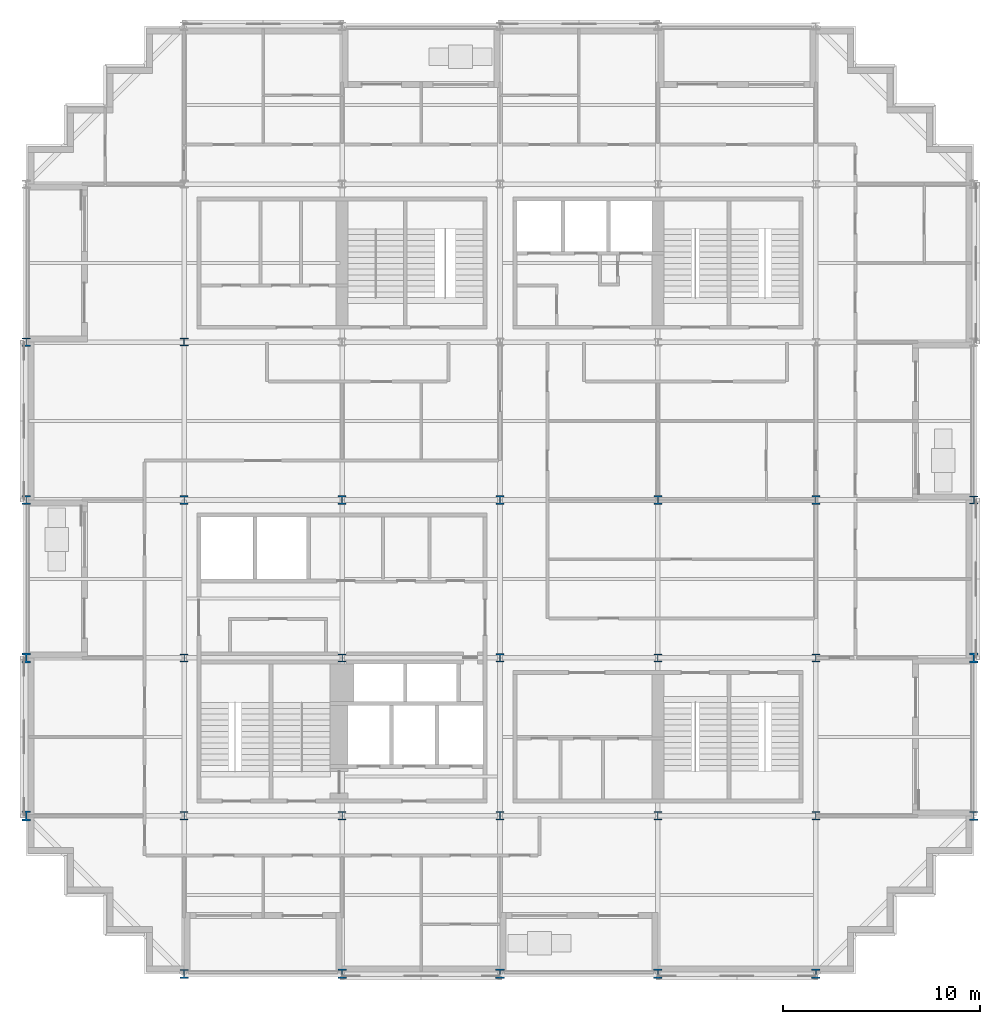
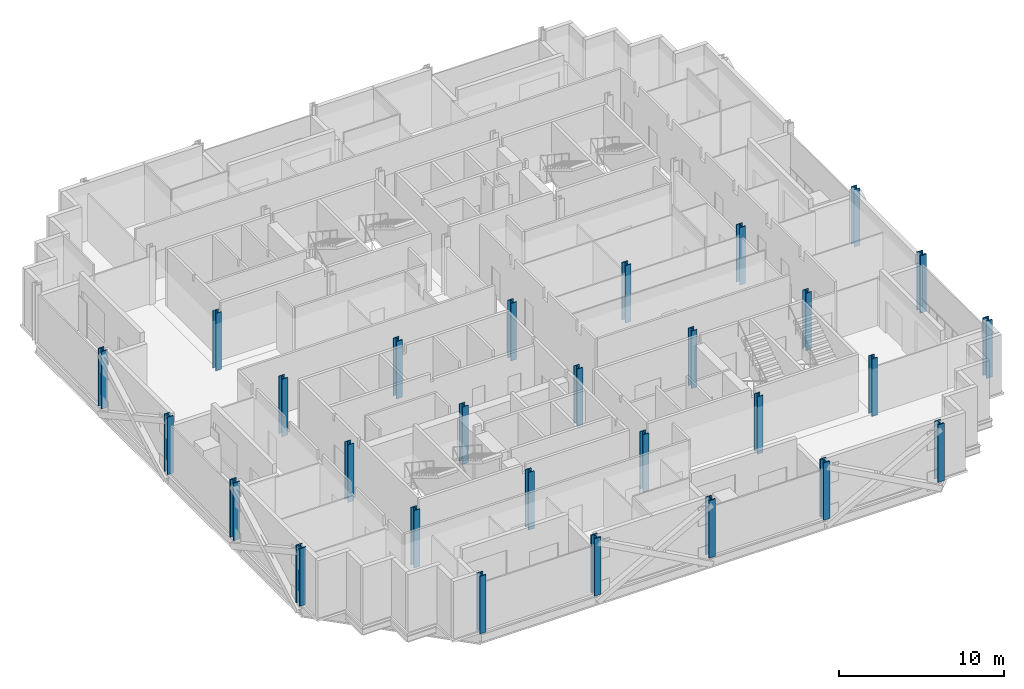
# One storey, part 1 of 15: 28 columns.
"""IFC4 building model written with IfcOpenShell, lengths in metres."""

from ifc_helpers import new_model, si_unit, direction, frame, origin, origin_2d, place, context, subcontext, project, spatial, i_section, extrude, material, material_profile, profile_set, type_object, element, save


model = new_model("IFC4")

# Units and contexts
model_context = context("Model", 3, precision=1e-05, world=origin(), true_north=direction((0.0, 1.0)))
body_context = subcontext(model_context, "Body", "Model", "MODEL_VIEW")
ifc_project = project(units=[si_unit("LENGTHUNIT", "METRE"), si_unit("AREAUNIT", "SQUARE_METRE"), si_unit("VOLUMEUNIT", "CUBIC_METRE"), si_unit("PLANEANGLEUNIT", "RADIAN"), si_unit("MASSUNIT", "GRAM", prefix="KILO")], contexts=[model_context])

# Site, building, storey
site_placement = place(None, origin())
site = spatial("IfcSite", under=ifc_project, at=site_placement, CompositionType="ELEMENT")
building_placement = place(site_placement, origin())
building = spatial("IfcBuilding", under=site, at=building_placement, Name="Immortelle Media Tower", CompositionType="ELEMENT")
storey_placement = place(building_placement, frame((0.0, 0.0, 70.0)))
storey = spatial("IfcBuildingStorey", under=building, at=storey_placement, Name="L12", CompositionType="ELEMENT", Elevation=70.0)

# Columns
ifc_material = material(Name="Steel ASTM A992 Gr 50", Category="steel")
ifc_material_profile_1 = material_profile(ifc_material, i_section(OverallWidth=0.39404296875, OverallDepth=0.3759765625, WebThickness=0.01708984375, FlangeThickness=0.028076171875, at=origin_2d()), Name="W14x145")
ifc_profile_set_1 = profile_set([ifc_material_profile_1], Name="Steel ASTM A992 Gr 50")
column_type_1 = type_object("IfcColumnType", Name="W14x145 column", PredefinedType="COLUMN", material=ifc_profile_set_1)
column_1_placement = place(storey_placement, frame((8.0, 32.0, 0.0), z_axis=(0.0, 0.0, 1.0), x_axis=(1.0, 0.0, 0.0)))
element("IfcColumn", 1, at=column_1_placement, inside=storey, type_object=column_type_1, Name="Column 2/E", PredefinedType="COLUMN", context=body_context, shape_type="SweptSolid", body=[
    extrude(i_section(OverallWidth=0.39404296875, OverallDepth=0.3759765625, WebThickness=0.01708984375, FlangeThickness=0.028076171875, at=origin_2d()), origin(), (0.0, 0.0, 1.0), 4.25),
])
ifc_material_profile_2 = material_profile(ifc_material, i_section(OverallWidth=0.40087890625, OverallDepth=0.39892578125, WebThickness=0.02490234375, FlangeThickness=0.0400390625, at=origin_2d()), Name="W14x211")
ifc_profile_set_2 = profile_set([ifc_material_profile_2], Name="Steel ASTM A992 Gr 50")
column_type_2 = type_object("IfcColumnType", Name="W14x211 column", PredefinedType="COLUMN", material=ifc_profile_set_2)
column_2_placement = place(storey_placement, frame((48.0, 24.0, 0.0), z_axis=(0.0, 0.0, 1.0), x_axis=(1.0, 0.0, 0.0)))
element("IfcColumn", 2, at=column_2_placement, inside=storey, type_object=column_type_2, Name="Column 7/D", PredefinedType="COLUMN", context=body_context, shape_type="SweptSolid", body=[
    extrude(i_section(OverallWidth=0.40087890625, OverallDepth=0.39892578125, WebThickness=0.02490234375, FlangeThickness=0.0400390625, at=origin_2d()), origin(), (0.0, 0.0, 1.0), 4.25),
])
ifc_material_profile_3 = material_profile(ifc_material, i_section(OverallWidth=0.406005859375, OverallDepth=0.4169921875, WebThickness=0.030029296875, FlangeThickness=0.048095703125, at=origin_2d()), Name="W14x257")
ifc_profile_set_3 = profile_set([ifc_material_profile_3], Name="Steel ASTM A992 Gr 50")
column_type_3 = type_object("IfcColumnType", Name="W14x257 column", PredefinedType="COLUMN", material=ifc_profile_set_3)
for number, where, z_axis, x_axis, name in (
    (3, (8.0, 8.0, 0.0), (0.0, 0.0, 1.0), (1.0, 0.0, 0.0), "Column 2/B"),
    (4, (8.0, 16.0, 0.0), (0.0, 0.0, 1.0), (1.0, 0.0, 0.0), "Column 2/C"),
    (5, (16.0, 8.0, 0.0), (0.0, 0.0, 1.0), (1.0, 0.0, 0.0), "Column 3/B"),
    (6, (16.0, 16.0, 0.0), (0.0, 0.0, 1.0), (1.0, 0.0, 0.0), "Column 3/C"),
    (7, (32.0, 8.0, 0.0), (0.0, 0.0, 1.0), (1.0, 0.0, 0.0), "Column 5/B"),
    (8, (32.0, 16.0, 0.0), (0.0, 0.0, 1.0), (1.0, 0.0, 0.0), "Column 5/C"),
    (9, (40.0, 8.0, 0.0), (0.0, 0.0, 1.0), (1.0, 0.0, 0.0), "Column 6/B"),
    (10, (40.0, 16.0, 0.0), (0.0, 0.0, 1.0), (1.0, 0.0, 0.0), "Column 6/C"),
):
    element("IfcColumn", number, at=place(storey_placement, frame(where, z_axis=z_axis, x_axis=x_axis)), inside=storey, type_object=column_type_3, Name=name, PredefinedType="COLUMN", context=body_context, shape_type="SweptSolid", body=[
        extrude(i_section(OverallWidth=0.406005859375, OverallDepth=0.4169921875, WebThickness=0.030029296875, FlangeThickness=0.048095703125, at=origin_2d()), origin(), (0.0, 0.0, 1.0), 4.25),
    ])
ifc_material_profile_4 = material_profile(ifc_material, i_section(OverallWidth=0.410888671875, OverallDepth=0.43408203125, WebThickness=0.035888671875, FlangeThickness=0.056884765625, at=origin_2d()), Name="W14x311")
ifc_profile_set_4 = profile_set([ifc_material_profile_4], Name="Steel ASTM A992 Gr 50")
column_type_4 = type_object("IfcColumnType", Name="W14x311 column", PredefinedType="COLUMN", material=ifc_profile_set_4)
for number, where, z_axis, x_axis, name in (
    (11, (0.0, 24.0, 0.0), (0.0, 0.0, 1.0), (1.0, 0.0, 0.0), "Column 1/D"),
    (12, (0.0, 32.0, 0.0), (0.0, 0.0, 1.0), (1.0, 0.0, 0.0), "Column 1/E"),
    (13, (8.0, 24.0, 0.0), (0.0, 0.0, 1.0), (1.0, 0.0, 0.0), "Column 2/D"),
    (14, (16.0, 24.0, 0.0), (0.0, 0.0, 1.0), (1.0, 0.0, 0.0), "Column 3/D"),
    (15, (24.0, 8.0, 0.0), (0.0, 0.0, 1.0), (1.0, 0.0, 0.0), "Column 4/B"),
    (16, (24.0, 16.0, 0.0), (0.0, 0.0, 1.0), (1.0, 0.0, 0.0), "Column 4/C"),
    (17, (24.0, 24.0, 0.0), (0.0, 0.0, 1.0), (1.0, 0.0, 0.0), "Column 4/D"),
    (18, (32.0, 24.0, 0.0), (0.0, 0.0, 1.0), (1.0, 0.0, 0.0), "Column 5/D"),
    (19, (40.0, 24.0, 0.0), (0.0, 0.0, 1.0), (1.0, 0.0, 0.0), "Column 6/D"),
):
    element("IfcColumn", number, at=place(storey_placement, frame(where, z_axis=z_axis, x_axis=x_axis)), inside=storey, type_object=column_type_4, Name=name, PredefinedType="COLUMN", context=body_context, shape_type="SweptSolid", body=[
        extrude(i_section(OverallWidth=0.410888671875, OverallDepth=0.43408203125, WebThickness=0.035888671875, FlangeThickness=0.056884765625, at=origin_2d()), origin(), (0.0, 0.0, 1.0), 4.25),
    ])
ifc_material_profile_5 = material_profile(ifc_material, i_section(OverallWidth=0.4189453125, OverallDepth=0.455078125, WebThickness=0.0419921875, FlangeThickness=0.068115234375, at=origin_2d()), Name="W14x370")
ifc_profile_set_5 = profile_set([ifc_material_profile_5], Name="Steel ASTM A992 Gr 50")
column_type_5 = type_object("IfcColumnType", Name="W14x370 column", PredefinedType="COLUMN", material=ifc_profile_set_5)
for number, where, z_axis, x_axis, name in (
    (20, (8.0, 0.0, 0.0), (0.0, 0.0, 1.0), (1.0, 0.0, 0.0), "Column 2/A"),
    (21, (48.0, 8.0, 0.0), (0.0, 0.0, 1.0), (1.0, 0.0, 0.0), "Column 7/B"),
):
    element("IfcColumn", number, at=place(storey_placement, frame(where, z_axis=z_axis, x_axis=x_axis)), inside=storey, type_object=column_type_5, Name=name, PredefinedType="COLUMN", context=body_context, shape_type="SweptSolid", body=[
        extrude(i_section(OverallWidth=0.4189453125, OverallDepth=0.455078125, WebThickness=0.0419921875, FlangeThickness=0.068115234375, at=origin_2d()), origin(), (0.0, 0.0, 1.0), 4.25),
    ])
ifc_material_profile_6 = material_profile(ifc_material, i_section(OverallWidth=0.431884765625, OverallDepth=0.498046875, WebThickness=0.055908203125, FlangeThickness=0.089111328125, at=origin_2d()), Name="W14x500")
ifc_profile_set_6 = profile_set([ifc_material_profile_6], Name="Steel ASTM A992 Gr 50")
column_type_6 = type_object("IfcColumnType", Name="W14x500 column", PredefinedType="COLUMN", material=ifc_profile_set_6)
for number, where, z_axis, x_axis, name in (
    (22, (0.0, 8.0, 0.0), (0.0, 0.0, 1.0), (1.0, 0.0, 0.0), "Column 1/B"),
    (23, (0.0, 16.0, 0.0), (0.0, 0.0, 1.0), (1.0, 0.0, 0.0), "Column 1/C"),
    (24, (16.0, 0.0, 0.0), (0.0, 0.0, 1.0), (1.0, 0.0, 0.0), "Column 3/A"),
    (25, (24.0, 0.0, 0.0), (0.0, 0.0, 1.0), (1.0, 0.0, 0.0), "Column 4/A"),
    (26, (32.0, 0.0, 0.0), (0.0, 0.0, 1.0), (1.0, 0.0, 0.0), "Column 5/A"),
    (27, (40.0, 0.0, 0.0), (0.0, 0.0, 1.0), (1.0, 0.0, 0.0), "Column 6/A"),
    (28, (48.0, 16.0, 0.0), (0.0, 0.0, 1.0), (1.0, 0.0, 0.0), "Column 7/C"),
):
    element("IfcColumn", number, at=place(storey_placement, frame(where, z_axis=z_axis, x_axis=x_axis)), inside=storey, type_object=column_type_6, Name=name, PredefinedType="COLUMN", context=body_context, shape_type="SweptSolid", body=[
        extrude(i_section(OverallWidth=0.431884765625, OverallDepth=0.498046875, WebThickness=0.055908203125, FlangeThickness=0.089111328125, at=origin_2d()), origin(), (0.0, 0.0, 1.0), 4.25),
    ])

save(model, "model.ifc")
